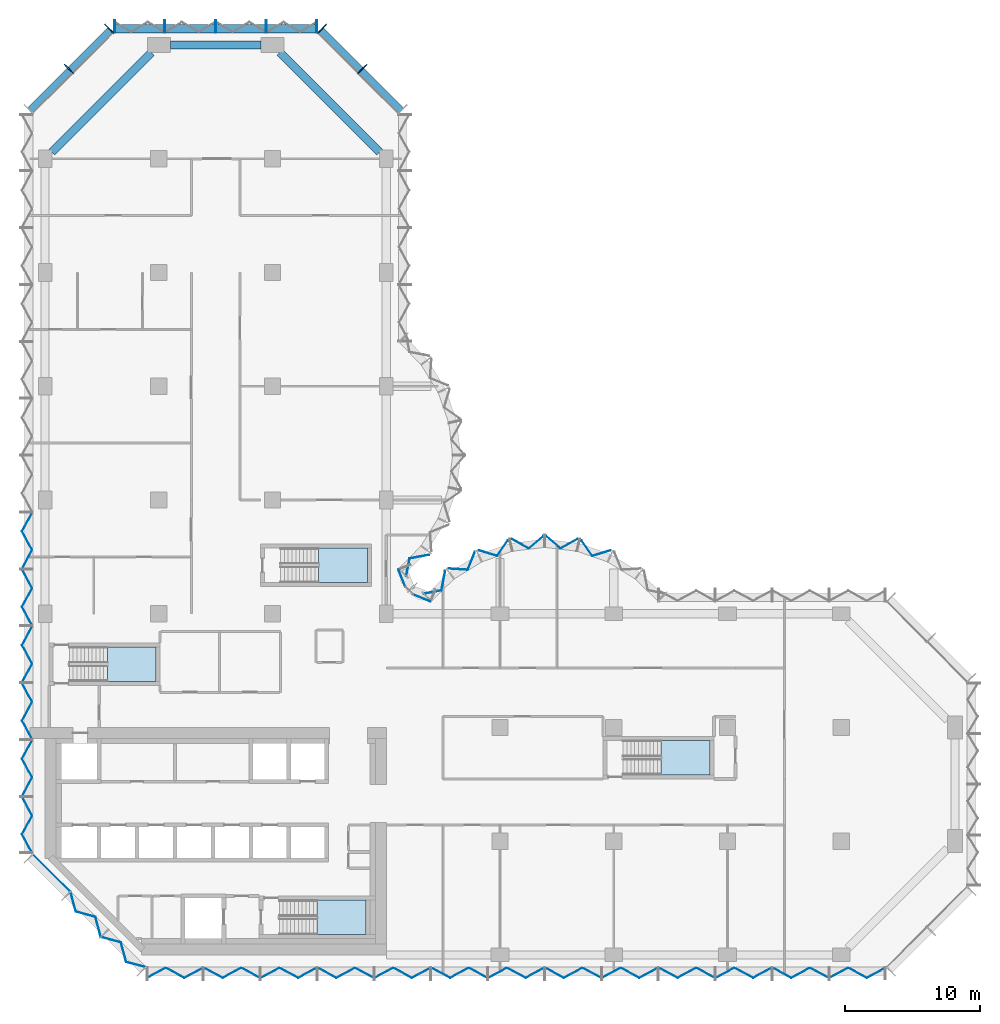
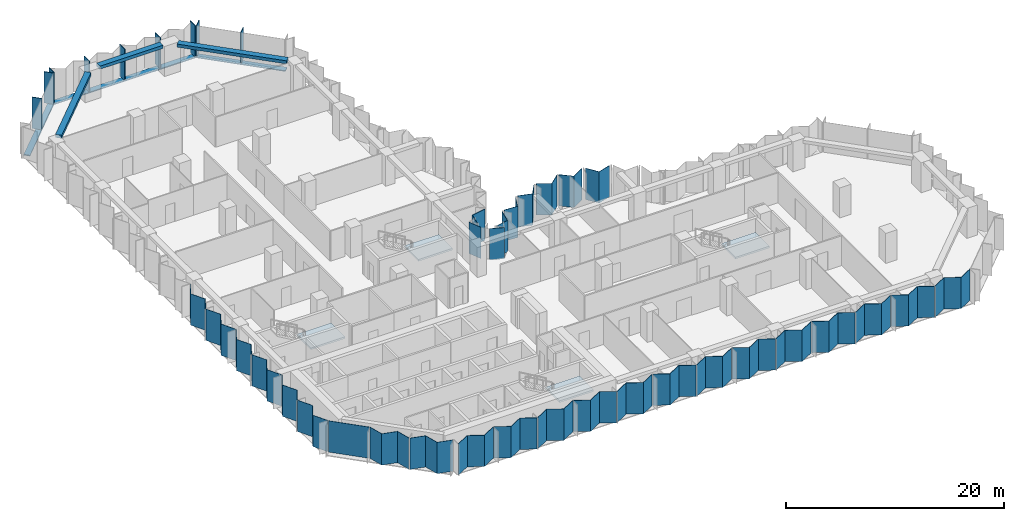
# One storey, part 5 of 13: 31 plates, 12 members, 4 slabs, 3 beams, 13 elements without a shape of their own.
"""IFC4 building model written with IfcOpenShell, lengths in metres."""

import ifcopenshell
import ifcopenshell.guid

model = None  # the IFC model being written
_history = None  # IfcOwnerHistory: only IFC2X3 demands one
_inside = {}  # id of a spatial element -> (the spatial element, [elements in it])
_under = {}  # id of a project, library or spatial element -> (it, [spatial elements below it])
_declared = {}  # id of a project -> (the project, [libraries it declares])
_typed = {}  # id of a type object -> (the type object, [elements of that type])
_made_of = {}  # id of a material, layer set ... -> (it, [elements and type objects made of it])


def new_model(schema):
    """Start an empty IFC model of exactly this schema.

    Asked for "IFC4X3", IfcOpenShell would pick the latest addendum, in which some entities
    have other attributes; the version numbers below select the first issue.
    IFC2X3 requires an IfcOwnerHistory on every rooted entity: one is made here for all.
    """
    global model, _history
    if schema == "IFC4X3":
        model = ifcopenshell.file(schema_version=(4, 3, 0, 0))
    else:
        model = ifcopenshell.file(schema=schema)
    _inside.clear()
    _under.clear()
    _declared.clear()
    _typed.clear()
    _made_of.clear()
    _history = None
    if model.schema == "IFC2X3":
        org = make("IfcOrganization", Name="unknown")
        user = make(
            "IfcPersonAndOrganization",
            ThePerson=make("IfcPerson", FamilyName="unknown"),
            TheOrganization=org,
        )
        app = make(
            "IfcApplication",
            ApplicationDeveloper=org,
            Version="unknown",
            ApplicationFullName="unknown",
            ApplicationIdentifier="unknown",
        )
        _history = make(
            "IfcOwnerHistory",
            OwningUser=user,
            OwningApplication=app,
            ChangeAction="ADDED",
            CreationDate=0,
        )
    return model


def make(cls, **values):
    """One entity of the class cls with the attributes given. An attribute that is None is left unset."""
    return model.create_entity(
        cls, **{name: value for name, value in values.items() if value is not None}
    )


def rooted(cls, **values):
    """An entity with a GlobalId (a new one), such as an element, a storey or a relation."""
    return make(cls, GlobalId=ifcopenshell.guid.new(), OwnerHistory=_history, **values)


def si_unit(unit_type, name, prefix=None):
    """IfcSIUnit, for example si_unit("LENGTHUNIT", "METRE", prefix="MILLI")."""
    return make("IfcSIUnit", UnitType=unit_type, Prefix=prefix, Name=name)


def assignment(units):
    """IfcUnitAssignment: the units of a project."""
    return None if units is None else make("IfcUnitAssignment", Units=units)


def point(xyz):
    """IfcCartesianPoint."""
    return None if xyz is None else make("IfcCartesianPoint", Coordinates=xyz)


def direction(xyz):
    """IfcDirection."""
    return None if xyz is None else make("IfcDirection", DirectionRatios=xyz)


def frame(location, z_axis=None, x_axis=None):
    """IfcAxis2Placement3D, a coordinate frame: its origin and axes. An axis left out is left unset."""
    return make(
        "IfcAxis2Placement3D",
        Location=point(location),
        Axis=direction(z_axis),
        RefDirection=direction(x_axis),
    )


def frame_2d(location, x_axis=None):
    """IfcAxis2Placement2D, a coordinate frame in the plane: its origin and x axis."""
    return make(
        "IfcAxis2Placement2D", Location=point(location), RefDirection=direction(x_axis)
    )


def origin():
    """The frame at (0, 0, 0) with its axes left unset."""
    return frame((0.0, 0.0, 0.0))


def origin_2d():
    """The frame at (0, 0) in the plane with its x axis left unset."""
    return frame_2d((0.0, 0.0))


def place(relative_to, where):
    """IfcLocalPlacement: puts the frame where relative to a parent placement (None: the world)."""
    return make(
        "IfcLocalPlacement", PlacementRelTo=relative_to, RelativePlacement=where
    )


def context(
    kind, dimensions, precision=None, world=None, true_north=None, identifier=None
):
    """IfcGeometricRepresentationContext, for example the 3D "Model" context."""
    return make(
        "IfcGeometricRepresentationContext",
        ContextIdentifier=identifier,
        ContextType=kind,
        CoordinateSpaceDimension=dimensions,
        Precision=precision,
        WorldCoordinateSystem=world,
        TrueNorth=true_north,
    )


def subcontext(parent, identifier, kind, view, scale=None):
    """IfcGeometricRepresentationSubContext, for example "Body" below "Model"."""
    return make(
        "IfcGeometricRepresentationSubContext",
        ContextIdentifier=identifier,
        ContextType=kind,
        ParentContext=parent,
        TargetScale=scale,
        TargetView=view,
    )


def project(units=None, contexts=None):
    """IfcProject with its units and contexts."""
    return rooted(
        "IfcProject",
        Name="project",
        RepresentationContexts=contexts,
        UnitsInContext=assignment(units),
    )


def spatial(cls, under=None, at=None, **own):
    """A site, building, storey or space (cls), placed at a placement, below another one or the project."""
    s = rooted(cls, ObjectPlacement=at, **own)
    if under is not None:
        _under.setdefault(under.id(), (under, []))[1].append(s)
    return s


def polyline(points):
    """IfcPolyline through the points."""
    return make("IfcPolyline", Points=[point(p) for p in points])


def profile(cls, at=None, kind="AREA", **sizes):
    """A parametric profile (cls). Its sizes go by their IFC names, for example OverallWidth=200.0."""
    return make(cls, ProfileType=kind, Position=at, **sizes)


def rectangle(**sizes):
    """IfcRectangleProfileDef."""
    return profile("IfcRectangleProfileDef", **sizes)


def outline(outer, holes=None, kind="AREA"):
    """IfcArbitraryClosedProfileDef: a profile drawn as a closed curve; with holes, ...WithVoids."""
    if holes is None:
        return make("IfcArbitraryClosedProfileDef", ProfileType=kind, OuterCurve=outer)
    return make(
        "IfcArbitraryProfileDefWithVoids",
        ProfileType=kind,
        OuterCurve=outer,
        InnerCurves=holes,
    )


def extrude(swept, where, along, depth):
    """IfcExtrudedAreaSolid: the profile swept, set in the frame where, extruded along a direction by depth."""
    return make(
        "IfcExtrudedAreaSolid",
        SweptArea=swept,
        Position=where,
        ExtrudedDirection=direction(along),
        Depth=depth,
    )


def shape(context_of_items, identifier, shape_type, items):
    """IfcShapeRepresentation: the items that make up one representation, for example the "Body"."""
    return make(
        "IfcShapeRepresentation",
        ContextOfItems=context_of_items,
        RepresentationIdentifier=identifier,
        RepresentationType=shape_type,
        Items=items,
    )


def material(Name=None, Category=None):
    """IfcMaterial."""
    return make("IfcMaterial", Name=Name, Category=Category)


def layer(
    of_material, thickness, ventilated=None, Name=None, Category=None, Priority=None
):
    """IfcMaterialLayer: one layer of a wall or slab, of a material (None: an air gap)."""
    return make(
        "IfcMaterialLayer",
        Material=of_material,
        LayerThickness=thickness,
        IsVentilated=ventilated,
        Name=Name,
        Category=Category,
        Priority=Priority,
    )


def layer_set(layers, Name=None):
    """IfcMaterialLayerSet."""
    return make("IfcMaterialLayerSet", MaterialLayers=layers, LayerSetName=Name)


def material_profile(
    of_material, cross_section, Name=None, Category=None, Priority=None
):
    """IfcMaterialProfile: a cross section and its material."""
    return make(
        "IfcMaterialProfile",
        Name=Name,
        Material=of_material,
        Profile=cross_section,
        Priority=Priority,
        Category=Category,
    )


def profile_set(profiles, Name=None, composite=None):
    """IfcMaterialProfileSet."""
    return make(
        "IfcMaterialProfileSet",
        Name=Name,
        MaterialProfiles=profiles,
        CompositeProfile=composite,
    )


def made_of(thing, what):
    """Note that an element or type object is made of a material, layer set ...; save() writes the relation."""
    if what is not None:
        _made_of.setdefault(what.id(), (what, []))[1].append(thing)
    return thing


def type_object(cls, material=None, **own):
    """A type object (cls), such as IfcWallType, which elements share."""
    return made_of(rooted(cls, **own), material)


def element(
    cls,
    number,
    at=None,
    inside=None,
    cuts=None,
    type_object=None,
    material=None,
    context=None,
    identifier="Body",
    shape_type=None,
    held_by="IfcProductDefinitionShape",
    body=None,
    shapes=None,
    **own,
):
    """One element of the class cls, such as IfcWall. Its Tag is "e" and its number.

    at: its placement. inside: the storey or other place that contains it. cuts: it is an
    opening in that element (IfcRelVoidsElement). A single representation is given by context,
    identifier, shape_type and body (its items); several are given by shapes. held_by: the class
    of the entity that holds the representations. save() writes the other relations.
    """
    e = rooted(cls, Tag="e%d" % number, ObjectPlacement=at, **own)
    if body is not None:
        shapes = [shape(context, identifier, shape_type, body)]
    if shapes is not None:
        e.Representation = make(held_by, Representations=shapes)
    if inside is not None:
        _inside.setdefault(inside.id(), (inside, []))[1].append(e)
    if cuts is not None:
        rooted(
            "IfcRelVoidsElement", RelatingBuildingElement=cuts, RelatedOpeningElement=e
        )
    if type_object is not None:
        _typed.setdefault(type_object.id(), (type_object, []))[1].append(e)
    return made_of(e, material)


def aggregate(whole, parts):
    """IfcRelAggregates: a whole, such as a stair, and the parts it consists of."""
    return rooted("IfcRelAggregates", RelatingObject=whole, RelatedObjects=parts)


def save(model, path):
    """Write the relations noted so far, then the file.

    IfcRelAggregates (storeys below a building ...), IfcRelContainedInSpatialStructure (elements
    in a storey), IfcRelDefinesByType, IfcRelAssociatesMaterial and IfcRelDeclares: one each for
    every whole, place, type object, material and project.
    """
    for whole, parts in _under.values():
        aggregate(whole, parts)
    for where, things in _inside.values():
        rooted(
            "IfcRelContainedInSpatialStructure",
            RelatedElements=things,
            RelatingStructure=where,
        )
    for kind, things in _typed.values():
        rooted("IfcRelDefinesByType", RelatedObjects=things, RelatingType=kind)
    for what, things in _made_of.values():
        rooted("IfcRelAssociatesMaterial", RelatedObjects=things, RelatingMaterial=what)
    for by, libraries in _declared.values():
        rooted("IfcRelDeclares", RelatingContext=by, RelatedDefinitions=libraries)
    model.write(path)


model = new_model("IFC4")

# Units and contexts
model_context = context("Model", 3, precision=1e-05, world=origin(), true_north=direction((0.0, 1.0)))
body_context = subcontext(model_context, "Body", "Model", "MODEL_VIEW")
ifc_project = project(units=[si_unit("LENGTHUNIT", "METRE"), si_unit("AREAUNIT", "SQUARE_METRE"), si_unit("VOLUMEUNIT", "CUBIC_METRE"), si_unit("PLANEANGLEUNIT", "RADIAN"), si_unit("MASSUNIT", "GRAM", prefix="KILO")], contexts=[model_context])

# Site, building, storey
site_placement = place(None, origin())
site = spatial("IfcSite", under=ifc_project, at=site_placement, CompositionType="ELEMENT")
building_placement = place(site_placement, origin())
building = spatial("IfcBuilding", under=site, at=building_placement, Name="Brevane Broadcast Tower", CompositionType="ELEMENT")
storey_placement = place(building_placement, frame((0.0, 0.0, 116.89990234375)))
storey = spatial("IfcBuildingStorey", under=building, at=storey_placement, Name="L28", CompositionType="ELEMENT", Elevation=116.89990234375)

# Curtain wall, members
ifc_material_1 = material(Name="Aluminium 6063-T6 bronze anodised", Category="aluminium")
curtain_wall_type = type_object("IfcCurtainWallType", Name="CW-1 curtain wall", PredefinedType="NOTDEFINED", material=ifc_material_1)
curtain_wall_1_placement = place(storey_placement, origin())
curtain_wall_1 = element("IfcCurtainWall", 1, at=curtain_wall_1_placement, inside=storey, type_object=curtain_wall_type, Name="CW-1 typical tilted unit L28 north arm north-east chamfer", PredefinedType="NOTDEFINED")
ifc_material_profile_1 = material_profile(ifc_material_1, rectangle(XDim=0.949951171875, YDim=0.070068359375, at=origin_2d()), Name="RECT 70x950")
ifc_profile_set_1 = profile_set([ifc_material_profile_1], Name="Aluminium 6063-T6 bronze anodised")
member_type_1 = type_object("IfcMemberType", Name="CW-1 mullion 70x950", PredefinedType="MULLION", material=ifc_profile_set_1)
member_1_placement = place(storey_placement, frame((23.435791015625, 65.435791015625, -0.14990234375), z_axis=(0.0, 0.0, 1.0), x_axis=(-0.707106781187, -0.707106781187, 0.0)))
member_1 = element("IfcMember", 2, at=member_1_placement, type_object=member_type_1, Name="CW-1 mullion", PredefinedType="MULLION", context=body_context, shape_type="SweptSolid", body=[
    extrude(rectangle(XDim=0.949951171875, YDim=0.070068359375, at=origin_2d()), origin(), (0.0, 0.0, 1.0), 3.5),
])
member_2_placement = place(storey_placement, frame((20.460693359375, 68.4111328125, -0.14990234375), z_axis=(0.0, 0.0, 1.0), x_axis=(-0.707106781187, -0.707106781187, 0.0)))
member_2 = element("IfcMember", 3, at=member_2_placement, type_object=member_type_1, Name="CW-1 mullion", PredefinedType="MULLION", context=body_context, shape_type="SweptSolid", body=[
    extrude(rectangle(XDim=0.949951171875, YDim=0.070068359375, at=origin_2d()), origin(), (0.0, 0.0, 1.0), 3.5),
])

curtain_wall_2_placement = place(storey_placement, origin())
curtain_wall_2 = element("IfcCurtainWall", 4, at=curtain_wall_2_placement, inside=storey, type_object=curtain_wall_type, Name="CW-1 typical tilted unit L28 north end", PredefinedType="NOTDEFINED")
member_3_placement = place(storey_placement, frame((20.06494140625, 68.574951171875, -0.14990234375), z_axis=(0.0, 0.0, 1.0), x_axis=(0.0, -1.0, 0.0)))
member_3 = element("IfcMember", 5, at=member_3_placement, type_object=member_type_1, Name="CW-1 mullion", PredefinedType="MULLION", context=body_context, shape_type="SweptSolid", body=[
    extrude(rectangle(XDim=0.949951171875, YDim=0.070068359375, at=origin_2d()), origin(), (0.0, 0.0, 1.0), 3.5),
])
member_4_placement = place(storey_placement, frame((16.35009765625, 68.574951171875, -0.14990234375), z_axis=(0.0, 0.0, 1.0), x_axis=(0.0, -1.0, 0.0)))
member_4 = element("IfcMember", 6, at=member_4_placement, type_object=member_type_1, Name="CW-1 mullion", PredefinedType="MULLION", context=body_context, shape_type="SweptSolid", body=[
    extrude(rectangle(XDim=0.949951171875, YDim=0.070068359375, at=origin_2d()), origin(), (0.0, 0.0, 1.0), 3.5),
])
member_5_placement = place(storey_placement, frame((12.60009765625, 68.574951171875, -0.14990234375), z_axis=(0.0, 0.0, 1.0), x_axis=(0.0, -1.0, 0.0)))
member_5 = element("IfcMember", 7, at=member_5_placement, type_object=member_type_1, Name="CW-1 mullion", PredefinedType="MULLION", context=body_context, shape_type="SweptSolid", body=[
    extrude(rectangle(XDim=0.949951171875, YDim=0.070068359375, at=origin_2d()), origin(), (0.0, 0.0, 1.0), 3.5),
])
member_6_placement = place(storey_placement, frame((8.85009765625, 68.574951171875, -0.14990234375), z_axis=(0.0, 0.0, 1.0), x_axis=(0.0, -1.0, 0.0)))
member_6 = element("IfcMember", 8, at=member_6_placement, type_object=member_type_1, Name="CW-1 mullion", PredefinedType="MULLION", context=body_context, shape_type="SweptSolid", body=[
    extrude(rectangle(XDim=0.949951171875, YDim=0.070068359375, at=origin_2d()), origin(), (0.0, 0.0, 1.0), 3.5),
])
member_7_placement = place(storey_placement, frame((5.135009765625, 68.574951171875, -0.14990234375), z_axis=(0.0, 0.0, 1.0), x_axis=(0.0, -1.0, 0.0)))
member_7 = element("IfcMember", 9, at=member_7_placement, type_object=member_type_1, Name="CW-1 mullion", PredefinedType="MULLION", context=body_context, shape_type="SweptSolid", body=[
    extrude(rectangle(XDim=0.949951171875, YDim=0.070068359375, at=origin_2d()), origin(), (0.0, 0.0, 1.0), 3.5),
])

curtain_wall_3_placement = place(storey_placement, origin())
curtain_wall_3 = element("IfcCurtainWall", 10, at=curtain_wall_3_placement, inside=storey, type_object=curtain_wall_type, Name="CW-1 typical tilted unit L28 north-west chamfer", PredefinedType="NOTDEFINED")
member_8_placement = place(storey_placement, frame((4.7392578125, 68.4111328125, -0.14990234375), z_axis=(0.0, 0.0, 1.0), x_axis=(0.707106781187, -0.707106781187, 0.0)))
member_8 = element("IfcMember", 11, at=member_8_placement, type_object=member_type_1, Name="CW-1 mullion", PredefinedType="MULLION", context=body_context, shape_type="SweptSolid", body=[
    extrude(rectangle(XDim=0.949951171875, YDim=0.070068359375, at=origin_2d()), origin(), (0.0, 0.0, 1.0), 3.5),
])
member_9_placement = place(storey_placement, frame((1.76416015625, 65.435791015625, -0.14990234375), z_axis=(0.0, 0.0, 1.0), x_axis=(0.707106781187, -0.707106781187, 0.0)))
member_9 = element("IfcMember", 12, at=member_9_placement, type_object=member_type_1, Name="CW-1 mullion", PredefinedType="MULLION", context=body_context, shape_type="SweptSolid", body=[
    extrude(rectangle(XDim=0.949951171875, YDim=0.070068359375, at=origin_2d()), origin(), (0.0, 0.0, 1.0), 3.5),
])

# Member
ifc_material_profile_2 = material_profile(ifc_material_1, rectangle(XDim=0.60009765625, YDim=0.10009765625, at=origin_2d()), Name="RECT 100x600")
ifc_profile_set_2 = profile_set([ifc_material_profile_2], Name="Aluminium 6063-T6 bronze anodised")
member_type_2 = type_object("IfcMemberType", Name="CW-1 transom 100x600", PredefinedType="USERDEFINED", material=ifc_profile_set_2)
member_10_placement = place(storey_placement, frame((26.31201171875, 62.31201171875, -0.199951171875), z_axis=(-0.707106781187, 0.707106781187, 0.0), x_axis=(-0.707106781187, -0.707106781187, 0.0)))
member_10 = element("IfcMember", 13, at=member_10_placement, type_object=member_type_2, Name="CW-1 transom", ObjectType="TRANSOM", PredefinedType="USERDEFINED", context=body_context, shape_type="SweptSolid", body=[
    extrude(rectangle(XDim=0.60009765625, YDim=0.10009765625, at=origin_2d()), origin(), (0.0, 0.0, 1.0), 8.4853515625),
])

aggregate(curtain_wall_1, [member_1, member_2, member_10])

member_11_placement = place(storey_placement, frame((20.10009765625, 68.39990234375, -0.199951171875), z_axis=(-1.0, 0.0, 0.0), x_axis=(0.0, -1.0, 0.0)))
member_11 = element("IfcMember", 14, at=member_11_placement, type_object=member_type_2, Name="CW-1 transom", ObjectType="TRANSOM", PredefinedType="USERDEFINED", context=body_context, shape_type="SweptSolid", body=[
    extrude(rectangle(XDim=0.60009765625, YDim=0.10009765625, at=origin_2d()), origin(), (0.0, 0.0, 1.0), 15.0),
])

aggregate(curtain_wall_2, [member_3, member_4, member_5, member_6, member_7, member_11])

member_12_placement = place(storey_placement, frame((4.887939453125, 68.31201171875, -0.199951171875), z_axis=(-0.707106781187, -0.707106781187, 0.0), x_axis=(0.707106781187, -0.707106781187, 0.0)))
member_12 = element("IfcMember", 15, at=member_12_placement, type_object=member_type_2, Name="CW-1 transom", ObjectType="TRANSOM", PredefinedType="USERDEFINED", context=body_context, shape_type="SweptSolid", body=[
    extrude(rectangle(XDim=0.60009765625, YDim=0.10009765625, at=origin_2d()), origin(), (0.0, 0.0, 1.0), 8.4853515625),
])

aggregate(curtain_wall_3, [member_8, member_9, member_12])

# Beams
ifc_material_2 = material(Name="Concrete C40/50", Category="concrete")
ifc_material_profile_3 = material_profile(ifc_material_2, rectangle(XDim=0.60009765625, YDim=0.35009765625, at=origin_2d()), Name="RC 600x350")
ifc_profile_set_3 = profile_set([ifc_material_profile_3], Name="Concrete C40/50")
beam_type = type_object("IfcBeamType", Name="RC SPANDREL BEAM 600x350 C40/50", PredefinedType="SPANDREL", material=ifc_profile_set_3)
beam_1_placement = place(storey_placement, frame((24.699951171875, 59.300048828125, 3.175048828125), z_axis=(-0.707106781187, 0.707106781187, 0.0), x_axis=(-0.707106781187, -0.707106781187, 0.0)))
element("IfcBeam", 16, at=beam_1_placement, inside=storey, type_object=beam_type, Name="EB1 L28-16", PredefinedType="SPANDREL", context=body_context, shape_type="SweptSolid", body=[
    extrude(rectangle(XDim=0.60009765625, YDim=0.35009765625, at=origin_2d()), origin(), (0.0, 0.0, 1.0), 10.394287109375),
])
beam_2_placement = place(storey_placement, frame((15.949951171875, 67.199951171875, 3.175048828125), z_axis=(-1.0, 0.0, 0.0), x_axis=(0.0, -1.0, 0.0)))
element("IfcBeam", 17, at=beam_2_placement, inside=storey, type_object=beam_type, Name="EB1 L28-17", PredefinedType="SPANDREL", context=body_context, shape_type="SweptSolid", body=[
    extrude(rectangle(XDim=0.60009765625, YDim=0.35009765625, at=origin_2d()), origin(), (0.0, 0.0, 1.0), 6.699951171875),
])
beam_3_placement = place(storey_placement, frame((7.85009765625, 66.64990234375, 3.175048828125), z_axis=(-0.707118524903, -0.707095037275, 0.0), x_axis=(0.707095037275, -0.707118524903, 0.0)))
element("IfcBeam", 18, at=beam_3_placement, inside=storey, type_object=beam_type, Name="EB1 L28-18", PredefinedType="SPANDREL", context=body_context, shape_type="SweptSolid", body=[
    extrude(rectangle(XDim=0.60009765625, YDim=0.35009765625, at=origin_2d()), origin(), (0.0, 0.0, 1.0), 10.39453125),
])

# Curtain wall, plates
curtain_wall_4_placement = place(storey_placement, origin())
curtain_wall_4 = element("IfcCurtainWall", 19, at=curtain_wall_4_placement, inside=storey, type_object=curtain_wall_type, Name="CW-1 typical tilted unit L28 south face", PredefinedType="NOTDEFINED")
ifc_material_3 = material(Name="Laminated glass bronze-tinted", Category="glass")
ifc_layer_1 = layer(ifc_material_3, 0.0400390625)
ifc_layer_set_1 = layer_set([ifc_layer_1], Name="CW tall glass panel 40")
plate_type = type_object("IfcPlateType", Name="CW tall glass panel 40", PredefinedType="CURTAIN_PANEL", material=ifc_layer_set_1)
plate_1_placement = place(storey_placement, frame((0.0, 0.0, -0.14990234375)))
plate_1 = element("IfcPlate", 20, at=plate_1_placement, type_object=plate_type, Name="CW-1 glass panel", PredefinedType="CURTAIN_PANEL", context=body_context, shape_type="SweptSolid", body=[
    extrude(outline(polyline([(7.534912109375, -1.671630859375), (7.534912109375, -1.717041015625), (8.91162109375, -0.97265625), (10.288330078125, -1.717041015625), (11.6650390625, -0.97265625), (11.6650390625, -0.92724609375), (10.288330078125, -1.671630859375), (8.91162109375, -0.92724609375), (7.534912109375, -1.671630859375)])), origin(), (0.0, 0.0, 1.0), 3.5),
])
plate_2_placement = place(storey_placement, frame((0.0, 0.0, -0.14990234375)))
plate_2 = element("IfcPlate", 21, at=plate_2_placement, type_object=plate_type, Name="CW-1 glass panel", PredefinedType="CURTAIN_PANEL", context=body_context, shape_type="SweptSolid", body=[
    extrude(outline(polyline([(11.735107421875, -0.92724609375), (11.735107421875, -0.97265625), (13.11181640625, -1.717041015625), (14.48828125, -0.97265625), (15.864990234375, -1.717041015625), (15.864990234375, -1.671630859375), (14.48828125, -0.92724609375), (13.11181640625, -1.671630859375), (11.735107421875, -0.92724609375)])), origin(), (0.0, 0.0, 1.0), 3.5),
])
plate_3_placement = place(storey_placement, frame((0.0, 0.0, -0.14990234375)))
plate_3 = element("IfcPlate", 22, at=plate_3_placement, type_object=plate_type, Name="CW-1 glass panel", PredefinedType="CURTAIN_PANEL", context=body_context, shape_type="SweptSolid", body=[
    extrude(outline(polyline([(15.93505859375, -1.671630859375), (15.93505859375, -1.717041015625), (17.311767578125, -0.97265625), (18.688232421875, -1.717041015625), (20.06494140625, -0.97265625), (20.06494140625, -0.92724609375), (18.688232421875, -1.671630859375), (17.311767578125, -0.92724609375), (15.93505859375, -1.671630859375)])), origin(), (0.0, 0.0, 1.0), 3.5),
])
plate_4_placement = place(storey_placement, frame((0.0, 0.0, -0.14990234375)))
plate_4 = element("IfcPlate", 23, at=plate_4_placement, type_object=plate_type, Name="CW-1 glass panel", PredefinedType="CURTAIN_PANEL", context=body_context, shape_type="SweptSolid", body=[
    extrude(outline(polyline([(20.135009765625, -0.92724609375), (20.135009765625, -0.97265625), (21.51171875, -1.717041015625), (22.88818359375, -0.97265625), (24.264892578125, -1.717041015625), (24.264892578125, -1.671630859375), (22.88818359375, -0.92724609375), (21.51171875, -1.671630859375), (20.135009765625, -0.92724609375)])), origin(), (0.0, 0.0, 1.0), 3.5),
])
plate_5_placement = place(storey_placement, frame((0.0, 0.0, -0.14990234375)))
plate_5 = element("IfcPlate", 24, at=plate_5_placement, type_object=plate_type, Name="CW-1 glass panel", PredefinedType="CURTAIN_PANEL", context=body_context, shape_type="SweptSolid", body=[
    extrude(outline(polyline([(24.3349609375, -1.671630859375), (24.3349609375, -1.717041015625), (25.711669921875, -0.97265625), (27.08837890625, -1.717041015625), (28.465087890625, -0.97265625), (28.465087890625, -0.92724609375), (27.08837890625, -1.671630859375), (25.711669921875, -0.92724609375), (24.3349609375, -1.671630859375)])), origin(), (0.0, 0.0, 1.0), 3.5),
])
plate_6_placement = place(storey_placement, frame((0.0, 0.0, -0.14990234375)))
plate_6 = element("IfcPlate", 25, at=plate_6_placement, type_object=plate_type, Name="CW-1 glass panel", PredefinedType="CURTAIN_PANEL", context=body_context, shape_type="SweptSolid", body=[
    extrude(outline(polyline([(28.534912109375, -0.92724609375), (28.534912109375, -0.97265625), (29.91162109375, -1.717041015625), (31.288330078125, -0.97265625), (32.6650390625, -1.717041015625), (32.6650390625, -1.671630859375), (31.288330078125, -0.92724609375), (29.91162109375, -1.671630859375), (28.534912109375, -0.92724609375)])), origin(), (0.0, 0.0, 1.0), 3.5),
])
plate_7_placement = place(storey_placement, frame((0.0, 0.0, -0.14990234375)))
plate_7 = element("IfcPlate", 26, at=plate_7_placement, type_object=plate_type, Name="CW-1 glass panel", PredefinedType="CURTAIN_PANEL", context=body_context, shape_type="SweptSolid", body=[
    extrude(outline(polyline([(32.735107421875, -1.671630859375), (32.735107421875, -1.717041015625), (34.11181640625, -0.97265625), (35.48828125, -1.717041015625), (36.864990234375, -0.97265625), (36.864990234375, -0.92724609375), (35.48828125, -1.671630859375), (34.11181640625, -0.92724609375), (32.735107421875, -1.671630859375)])), origin(), (0.0, 0.0, 1.0), 3.5),
])
plate_8_placement = place(storey_placement, frame((0.0, 0.0, -0.14990234375)))
plate_8 = element("IfcPlate", 27, at=plate_8_placement, type_object=plate_type, Name="CW-1 glass panel", PredefinedType="CURTAIN_PANEL", context=body_context, shape_type="SweptSolid", body=[
    extrude(outline(polyline([(36.93505859375, -0.92724609375), (36.93505859375, -0.97265625), (38.311767578125, -1.717041015625), (39.688232421875, -0.97265625), (41.06494140625, -1.717041015625), (41.06494140625, -1.671630859375), (39.688232421875, -0.92724609375), (38.311767578125, -1.671630859375), (36.93505859375, -0.92724609375)])), origin(), (0.0, 0.0, 1.0), 3.5),
])
plate_9_placement = place(storey_placement, frame((0.0, 0.0, -0.14990234375)))
plate_9 = element("IfcPlate", 28, at=plate_9_placement, type_object=plate_type, Name="CW-1 glass panel", PredefinedType="CURTAIN_PANEL", context=body_context, shape_type="SweptSolid", body=[
    extrude(outline(polyline([(41.135009765625, -1.671630859375), (41.135009765625, -1.717041015625), (42.51171875, -0.97265625), (43.88818359375, -1.717041015625), (45.264892578125, -0.97265625), (45.264892578125, -0.92724609375), (43.88818359375, -1.671630859375), (42.51171875, -0.92724609375), (41.135009765625, -1.671630859375)])), origin(), (0.0, 0.0, 1.0), 3.5),
])
plate_10_placement = place(storey_placement, frame((0.0, 0.0, -0.14990234375)))
plate_10 = element("IfcPlate", 29, at=plate_10_placement, type_object=plate_type, Name="CW-1 glass panel", PredefinedType="CURTAIN_PANEL", context=body_context, shape_type="SweptSolid", body=[
    extrude(outline(polyline([(45.3349609375, -0.92724609375), (45.3349609375, -0.97265625), (46.711669921875, -1.717041015625), (48.08837890625, -0.97265625), (49.465087890625, -1.717041015625), (49.465087890625, -1.671630859375), (48.08837890625, -0.92724609375), (46.711669921875, -1.671630859375), (45.3349609375, -0.92724609375)])), origin(), (0.0, 0.0, 1.0), 3.5),
])
plate_11_placement = place(storey_placement, frame((0.0, 0.0, -0.14990234375)))
plate_11 = element("IfcPlate", 30, at=plate_11_placement, type_object=plate_type, Name="CW-1 glass panel", PredefinedType="CURTAIN_PANEL", context=body_context, shape_type="SweptSolid", body=[
    extrude(outline(polyline([(49.534912109375, -1.671630859375), (49.534912109375, -1.717041015625), (50.91162109375, -0.97265625), (52.288330078125, -1.717041015625), (53.6650390625, -0.97265625), (53.6650390625, -0.92724609375), (52.288330078125, -1.671630859375), (50.91162109375, -0.92724609375), (49.534912109375, -1.671630859375)])), origin(), (0.0, 0.0, 1.0), 3.5),
])
plate_12_placement = place(storey_placement, frame((0.0, 0.0, -0.14990234375)))
plate_12 = element("IfcPlate", 31, at=plate_12_placement, type_object=plate_type, Name="CW-1 glass panel", PredefinedType="CURTAIN_PANEL", context=body_context, shape_type="SweptSolid", body=[
    extrude(outline(polyline([(53.735107421875, -0.92724609375), (53.735107421875, -0.97265625), (55.11181640625, -1.717041015625), (56.48828125, -0.97265625), (57.864990234375, -1.717041015625), (57.864990234375, -1.671630859375), (56.48828125, -0.92724609375), (55.11181640625, -1.671630859375), (53.735107421875, -0.92724609375)])), origin(), (0.0, 0.0, 1.0), 3.5),
])
plate_13_placement = place(storey_placement, frame((0.0, 0.0, -0.14990234375)))
plate_13 = element("IfcPlate", 32, at=plate_13_placement, type_object=plate_type, Name="CW-1 glass panel", PredefinedType="CURTAIN_PANEL", context=body_context, shape_type="SweptSolid", body=[
    extrude(outline(polyline([(57.93505859375, -1.671630859375), (57.93505859375, -1.717041015625), (59.311767578125, -0.97265625), (60.688232421875, -1.717041015625), (62.06494140625, -0.97265625), (62.06494140625, -0.92724609375), (60.688232421875, -1.671630859375), (59.311767578125, -0.92724609375), (57.93505859375, -1.671630859375)])), origin(), (0.0, 0.0, 1.0), 3.5),
])
aggregate(curtain_wall_4, [plate_1, plate_2, plate_3, plate_4, plate_5, plate_6, plate_7, plate_8, plate_9, plate_10, plate_11, plate_12, plate_13])

curtain_wall_5_placement = place(storey_placement, origin())
curtain_wall_5 = element("IfcCurtainWall", 33, at=curtain_wall_5_placement, inside=storey, type_object=curtain_wall_type, Name="CW-1 typical tilted unit L28 east bow", PredefinedType="NOTDEFINED")
plate_14_placement = place(storey_placement, frame((0.0, 0.0, -0.14990234375)))
plate_14 = element("IfcPlate", 34, at=plate_14_placement, type_object=plate_type, Name="CW-1 glass panel", PredefinedType="CURTAIN_PANEL", context=body_context, shape_type="SweptSolid", body=[
    extrude(outline(polyline([(41.75537109375, 29.851806640625), (41.778564453125, 29.900634765625), (40.435546875, 29.494384765625), (39.6328125, 30.622802734375), (39.62060546875, 30.57080078125), (40.41943359375, 29.44775390625), (41.75537109375, 29.851806640625)])), origin(), (0.0, 0.0, 1.0), 3.5),
])
plate_15_placement = place(storey_placement, frame((0.0, 0.0, -0.14990234375)))
plate_15 = element("IfcPlate", 35, at=plate_15_placement, type_object=plate_type, Name="CW-1 glass panel", PredefinedType="CURTAIN_PANEL", context=body_context, shape_type="SweptSolid", body=[
    extrude(outline(polyline([(39.31640625, 30.68798828125), (39.328369140625, 30.740478515625), (38.069580078125, 30.036376953125), (37.008056640625, 30.94921875), (37.008056640625, 30.896484375), (38.064697265625, 29.98779296875), (39.31640625, 30.68798828125)])), origin(), (0.0, 0.0, 1.0), 3.5),
])
plate_16_placement = place(storey_placement, frame((0.0, 0.0, -0.14990234375)))
plate_16 = element("IfcPlate", 36, at=plate_16_placement, type_object=plate_type, Name="CW-1 glass panel", PredefinedType="CURTAIN_PANEL", context=body_context, shape_type="SweptSolid", body=[
    extrude(outline(polyline([(36.7919921875, 30.896484375), (36.7919921875, 30.94921875), (35.730224609375, 30.036376953125), (34.4716796875, 30.740478515625), (34.483642578125, 30.68798828125), (35.735107421875, 29.98779296875), (36.7919921875, 30.896484375)])), origin(), (0.0, 0.0, 1.0), 3.5),
])
plate_17_placement = place(storey_placement, frame((0.0, 0.0, -0.14990234375)))
plate_17 = element("IfcPlate", 37, at=plate_17_placement, type_object=plate_type, Name="CW-1 glass panel", PredefinedType="CURTAIN_PANEL", context=body_context, shape_type="SweptSolid", body=[
    extrude(outline(polyline([(34.17919921875, 30.57080078125), (34.167236328125, 30.622802734375), (33.364501953125, 29.494384765625), (32.021484375, 29.900634765625), (32.044677734375, 29.851806640625), (33.380615234375, 29.44775390625), (34.17919921875, 30.57080078125)])), origin(), (0.0, 0.0, 1.0), 3.5),
])
plate_18_placement = place(storey_placement, frame((0.0, 0.0, -0.14990234375)))
plate_18 = element("IfcPlate", 38, at=plate_18_placement, type_object=plate_type, Name="CW-1 glass panel", PredefinedType="CURTAIN_PANEL", context=body_context, shape_type="SweptSolid", body=[
    extrude(outline(polyline([(31.753173828125, 29.712890625), (31.729736328125, 29.76171875), (31.198486328125, 28.462890625), (29.816650390625, 28.551025390625), (29.849609375, 28.5087890625), (31.224609375, 28.42138671875), (31.753173828125, 29.712890625)])), origin(), (0.0, 0.0, 1.0), 3.5),
])
plate_19_placement = place(storey_placement, frame((0.0, 0.0, -0.14990234375)))
plate_19 = element("IfcPlate", 39, at=plate_19_placement, type_object=plate_type, Name="CW-1 glass panel", PredefinedType="CURTAIN_PANEL", context=body_context, shape_type="SweptSolid", body=[
    extrude(outline(polyline([(29.568603515625, 28.34375), (29.535888671875, 28.3857421875), (29.2607421875, 26.9423828125), (27.975341796875, 26.690185546875), (28.008544921875, 26.656005859375), (29.294921875, 26.908203125), (29.568603515625, 28.34375)])), origin(), (0.0, 0.0, 1.0), 3.5),
])
aggregate(curtain_wall_5, [plate_14, plate_15, plate_16, plate_17, plate_18, plate_19])

curtain_wall_6_placement = place(storey_placement, origin())
curtain_wall_6 = element("IfcCurtainWall", 40, at=curtain_wall_6_placement, inside=storey, type_object=curtain_wall_type, Name="CW-1 typical tilted unit L28 inner corner", PredefinedType="NOTDEFINED")
plate_20_placement = place(storey_placement, frame((0.0, 0.0, -0.14990234375)))
plate_20 = element("IfcPlate", 41, at=plate_20_placement, type_object=plate_type, Name="CW-1 glass panel", PredefinedType="CURTAIN_PANEL", context=body_context, shape_type="SweptSolid", body=[
    extrude(outline(polyline([(28.45166015625, 26.07470703125), (28.466796875, 26.111572265625), (27.2021484375, 26.635498046875), (27.17138671875, 26.60498046875), (28.45166015625, 26.07470703125)])), origin(), (0.0, 0.0, 1.0), 3.5),
])
plate_21_placement = place(storey_placement, frame((0.0, 0.0, -0.14990234375)))
plate_21 = element("IfcPlate", 42, at=plate_21_placement, type_object=plate_type, Name="CW-1 glass panel", PredefinedType="CURTAIN_PANEL", context=body_context, shape_type="SweptSolid", body=[
    extrude(outline(polyline([(26.60498046875, 27.17138671875), (26.635498046875, 27.2021484375), (26.111572265625, 28.466796875), (26.07470703125, 28.45166015625), (26.60498046875, 27.17138671875)])), origin(), (0.0, 0.0, 1.0), 3.5),
])
aggregate(curtain_wall_6, [plate_20, plate_21])

# Curtain wall, plate
curtain_wall_7_placement = place(storey_placement, origin())
curtain_wall_7 = element("IfcCurtainWall", 43, at=curtain_wall_7_placement, inside=storey, type_object=curtain_wall_type, Name="CW-1 typical tilted unit L28 north bow", PredefinedType="NOTDEFINED")
plate_22_placement = place(storey_placement, frame((0.0, 0.0, -0.14990234375)))
plate_22 = element("IfcPlate", 44, at=plate_22_placement, type_object=plate_type, Name="CW-1 glass panel", PredefinedType="CURTAIN_PANEL", context=body_context, shape_type="SweptSolid", body=[
    extrude(outline(polyline([(26.656005859375, 28.008544921875), (26.690185546875, 27.975341796875), (26.9423828125, 29.2607421875), (28.3857421875, 29.535888671875), (28.34375, 29.568603515625), (26.908203125, 29.294921875), (26.656005859375, 28.008544921875)])), origin(), (0.0, 0.0, 1.0), 3.5),
])
aggregate(curtain_wall_7, [plate_22])

# Curtain wall, plates
curtain_wall_8_placement = place(storey_placement, origin())
curtain_wall_8 = element("IfcCurtainWall", 45, at=curtain_wall_8_placement, inside=storey, type_object=curtain_wall_type, Name="CW-1 typical tilted unit L28 west face", PredefinedType="NOTDEFINED")
plate_23_placement = place(storey_placement, frame((0.0, 0.0, -0.14990234375)))
plate_23 = element("IfcPlate", 46, at=plate_23_placement, type_object=plate_type, Name="CW-1 glass panel", PredefinedType="CURTAIN_PANEL", context=body_context, shape_type="SweptSolid", body=[
    extrude(outline(polyline([(-0.92724609375, 32.6650390625), (-0.97265625, 32.6650390625), (-1.717041015625, 31.288330078125), (-0.97265625, 29.91162109375), (-1.717041015625, 28.534912109375), (-1.671630859375, 28.534912109375), (-0.92724609375, 29.91162109375), (-1.671630859375, 31.288330078125), (-0.92724609375, 32.6650390625)])), origin(), (0.0, 0.0, 1.0), 3.5),
])
plate_24_placement = place(storey_placement, frame((0.0, 0.0, -0.14990234375)))
plate_24 = element("IfcPlate", 47, at=plate_24_placement, type_object=plate_type, Name="CW-1 glass panel", PredefinedType="CURTAIN_PANEL", context=body_context, shape_type="SweptSolid", body=[
    extrude(outline(polyline([(-1.671630859375, 28.465087890625), (-1.717041015625, 28.465087890625), (-0.97265625, 27.08837890625), (-1.717041015625, 25.711669921875), (-0.97265625, 24.3349609375), (-0.92724609375, 24.3349609375), (-1.671630859375, 25.711669921875), (-0.92724609375, 27.08837890625), (-1.671630859375, 28.465087890625)])), origin(), (0.0, 0.0, 1.0), 3.5),
])
plate_25_placement = place(storey_placement, frame((0.0, 0.0, -0.14990234375)))
plate_25 = element("IfcPlate", 48, at=plate_25_placement, type_object=plate_type, Name="CW-1 glass panel", PredefinedType="CURTAIN_PANEL", context=body_context, shape_type="SweptSolid", body=[
    extrude(outline(polyline([(-0.92724609375, 24.264892578125), (-0.97265625, 24.264892578125), (-1.717041015625, 22.88818359375), (-0.97265625, 21.51171875), (-1.717041015625, 20.135009765625), (-1.671630859375, 20.135009765625), (-0.92724609375, 21.51171875), (-1.671630859375, 22.88818359375), (-0.92724609375, 24.264892578125)])), origin(), (0.0, 0.0, 1.0), 3.5),
])
plate_26_placement = place(storey_placement, frame((0.0, 0.0, -0.14990234375)))
plate_26 = element("IfcPlate", 49, at=plate_26_placement, type_object=plate_type, Name="CW-1 glass panel", PredefinedType="CURTAIN_PANEL", context=body_context, shape_type="SweptSolid", body=[
    extrude(outline(polyline([(-1.671630859375, 20.06494140625), (-1.717041015625, 20.06494140625), (-0.97265625, 18.688232421875), (-1.717041015625, 17.311767578125), (-0.97265625, 15.93505859375), (-0.92724609375, 15.93505859375), (-1.671630859375, 17.311767578125), (-0.92724609375, 18.688232421875), (-1.671630859375, 20.06494140625)])), origin(), (0.0, 0.0, 1.0), 3.5),
])
plate_27_placement = place(storey_placement, frame((0.0, 0.0, -0.14990234375)))
plate_27 = element("IfcPlate", 50, at=plate_27_placement, type_object=plate_type, Name="CW-1 glass panel", PredefinedType="CURTAIN_PANEL", context=body_context, shape_type="SweptSolid", body=[
    extrude(outline(polyline([(-0.92724609375, 15.864990234375), (-0.97265625, 15.864990234375), (-1.717041015625, 14.48828125), (-0.97265625, 13.11181640625), (-1.717041015625, 11.735107421875), (-1.671630859375, 11.735107421875), (-0.92724609375, 13.11181640625), (-1.671630859375, 14.48828125), (-0.92724609375, 15.864990234375)])), origin(), (0.0, 0.0, 1.0), 3.5),
])
plate_28_placement = place(storey_placement, frame((0.0, 0.0, -0.14990234375)))
plate_28 = element("IfcPlate", 51, at=plate_28_placement, type_object=plate_type, Name="CW-1 glass panel", PredefinedType="CURTAIN_PANEL", context=body_context, shape_type="SweptSolid", body=[
    extrude(outline(polyline([(-1.671630859375, 11.6650390625), (-1.717041015625, 11.6650390625), (-0.97265625, 10.288330078125), (-1.717041015625, 8.91162109375), (-0.97265625, 7.534912109375), (-0.92724609375, 7.534912109375), (-1.671630859375, 8.91162109375), (-0.92724609375, 10.288330078125), (-1.671630859375, 11.6650390625)])), origin(), (0.0, 0.0, 1.0), 3.5),
])
aggregate(curtain_wall_8, [plate_23, plate_24, plate_25, plate_26, plate_27, plate_28])

curtain_wall_9_placement = place(storey_placement, origin())
curtain_wall_9 = element("IfcCurtainWall", 52, at=curtain_wall_9_placement, inside=storey, type_object=curtain_wall_type, Name="CW-1 typical tilted unit L28 south-west chamfer", PredefinedType="NOTDEFINED")
plate_29_placement = place(storey_placement, frame((0.0, 0.0, -0.14990234375)))
plate_29 = element("IfcPlate", 53, at=plate_29_placement, type_object=plate_type, Name="CW-1 glass panel", PredefinedType="CURTAIN_PANEL", context=body_context, shape_type="SweptSolid", body=[
    extrude(outline(polyline([(-0.896484375, 7.4541015625), (1.85400390625, 4.70361328125), (1.82568359375, 4.67529296875), (-0.9248046875, 7.42578125), (-0.896484375, 7.4541015625)])), origin(), (0.0, 0.0, 1.0), 3.5),
])
plate_30_placement = place(storey_placement, frame((0.0, 0.0, -0.14990234375)))
plate_30 = element("IfcPlate", 54, at=plate_30_placement, type_object=plate_type, Name="CW-1 glass panel", PredefinedType="CURTAIN_PANEL", context=body_context, shape_type="SweptSolid", body=[
    extrude(outline(polyline([(1.90576171875, 4.65625), (1.873046875, 4.62353515625), (2.263671875, 3.180419921875), (3.706787109375, 2.789794921875), (4.09716796875, 1.3466796875), (4.1298828125, 1.37939453125), (3.739501953125, 2.822509765625), (2.296142578125, 3.212890625), (1.90576171875, 4.65625)])), origin(), (0.0, 0.0, 1.0), 3.5),
])
plate_31_placement = place(storey_placement, frame((0.0, 0.0, -0.14990234375)))
plate_31 = element("IfcPlate", 55, at=plate_31_placement, type_object=plate_type, Name="CW-1 glass panel", PredefinedType="CURTAIN_PANEL", context=body_context, shape_type="SweptSolid", body=[
    extrude(outline(polyline([(4.17919921875, 1.329833984375), (4.146728515625, 1.297119140625), (5.58984375, 0.90673828125), (5.98046875, -0.536376953125), (7.423583984375, -0.927001953125), (7.456298828125, -0.894287109375), (6.012939453125, -0.50390625), (5.62255859375, 0.939453125), (4.17919921875, 1.329833984375)])), origin(), (0.0, 0.0, 1.0), 3.5),
])
aggregate(curtain_wall_9, [plate_29, plate_30, plate_31])

# Stair, slab
ifc_material_4 = material(Name="Concrete C50/60", Category="concrete")
stair_type = type_object("IfcStairType", Name="Exit stair 22 risers", PredefinedType="HALF_TURN_STAIR", material=ifc_material_4)
stair_1_placement = place(storey_placement, origin())
stair_1 = element("IfcStair", 56, at=stair_1_placement, inside=storey, type_object=stair_type, Name="L28 Exit stair ST-1", PredefinedType="HALF_TURN_STAIR")
ifc_layer_2 = layer(ifc_material_4, 0.199951171875)
ifc_layer_set_2 = layer_set([ifc_layer_2], Name="Exit stair landing")
slab_type = type_object("IfcSlabType", Name="Exit stair landing", PredefinedType="LANDING", material=ifc_layer_set_2)
slab_1_placement = place(storey_placement, frame((0.0, 0.0, 1.60009765625)))
slab_1 = element("IfcSlab", 57, at=slab_1_placement, type_object=slab_type, Name="ST-1 landing 1", PredefinedType="LANDING", context=body_context, shape_type="SweptSolid", body=[
    extrude(outline(polyline([(4.60009765625, 20.199951171875), (8.199951171875, 20.199951171875), (8.199951171875, 22.75), (4.60009765625, 22.75), (4.60009765625, 20.199951171875)])), origin(), (0.0, 0.0, 1.0), 0.199951171875),
])
aggregate(stair_1, [slab_1])

stair_2_placement = place(storey_placement, origin())
stair_2 = element("IfcStair", 58, at=stair_2_placement, inside=storey, type_object=stair_type, Name="L28 Exit stair ST-2", PredefinedType="HALF_TURN_STAIR")
slab_2_placement = place(storey_placement, frame((0.0, 0.0, 1.60009765625)))
slab_2 = element("IfcSlab", 59, at=slab_2_placement, type_object=slab_type, Name="ST-2 landing 1", PredefinedType="LANDING", context=body_context, shape_type="SweptSolid", body=[
    extrude(outline(polyline([(20.10009765625, 1.5), (23.699951171875, 1.5), (23.699951171875, 4.050048828125), (20.10009765625, 4.050048828125), (20.10009765625, 1.5)])), origin(), (0.0, 0.0, 1.0), 0.199951171875),
])
aggregate(stair_2, [slab_2])

stair_3_placement = place(storey_placement, origin())
stair_3 = element("IfcStair", 60, at=stair_3_placement, inside=storey, type_object=stair_type, Name="L28 Exit stair ST-3", PredefinedType="HALF_TURN_STAIR")
slab_3_placement = place(storey_placement, frame((0.0, 0.0, 1.60009765625)))
slab_3 = element("IfcSlab", 61, at=slab_3_placement, type_object=slab_type, Name="ST-3 landing 1", PredefinedType="LANDING", context=body_context, shape_type="SweptSolid", body=[
    extrude(outline(polyline([(20.199951171875, 27.5), (23.800048828125, 27.5), (23.800048828125, 30.050048828125), (20.199951171875, 30.050048828125), (20.199951171875, 27.5)])), origin(), (0.0, 0.0, 1.0), 0.199951171875),
])
aggregate(stair_3, [slab_3])

stair_4_placement = place(storey_placement, origin())
stair_4 = element("IfcStair", 62, at=stair_4_placement, inside=storey, type_object=stair_type, Name="L28 Exit stair ST-4", PredefinedType="HALF_TURN_STAIR")
slab_4_placement = place(storey_placement, frame((0.0, 0.0, 1.60009765625)))
slab_4 = element("IfcSlab", 63, at=slab_4_placement, type_object=slab_type, Name="ST-4 landing 1", PredefinedType="LANDING", context=body_context, shape_type="SweptSolid", body=[
    extrude(outline(polyline([(45.5, 13.300048828125), (49.10009765625, 13.300048828125), (49.10009765625, 15.85009765625), (45.5, 15.85009765625), (45.5, 13.300048828125)])), origin(), (0.0, 0.0, 1.0), 0.199951171875),
])
aggregate(stair_4, [slab_4])

save(model, "model.ifc")
